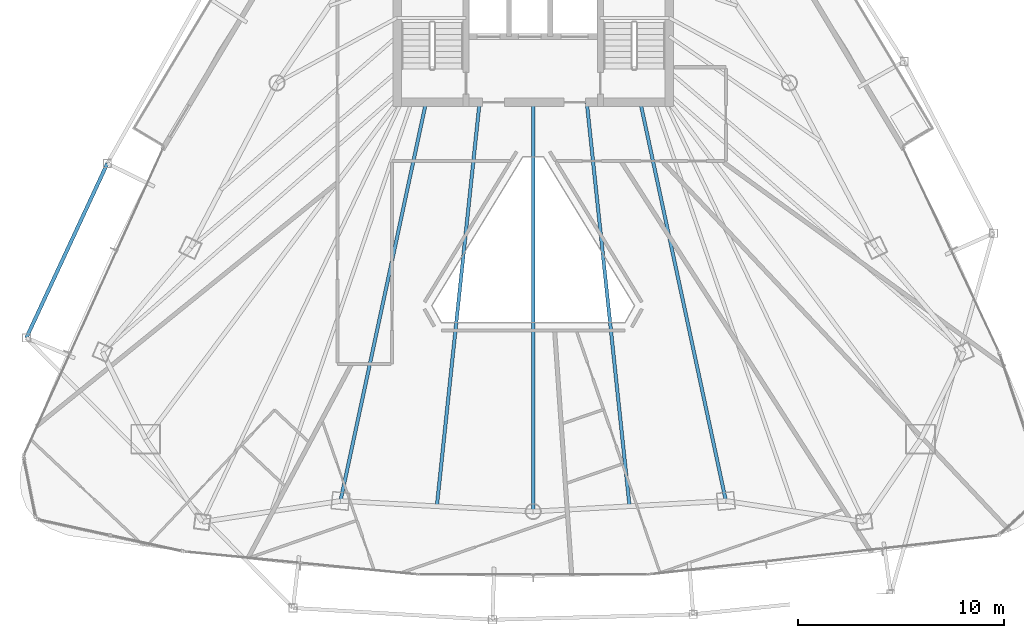
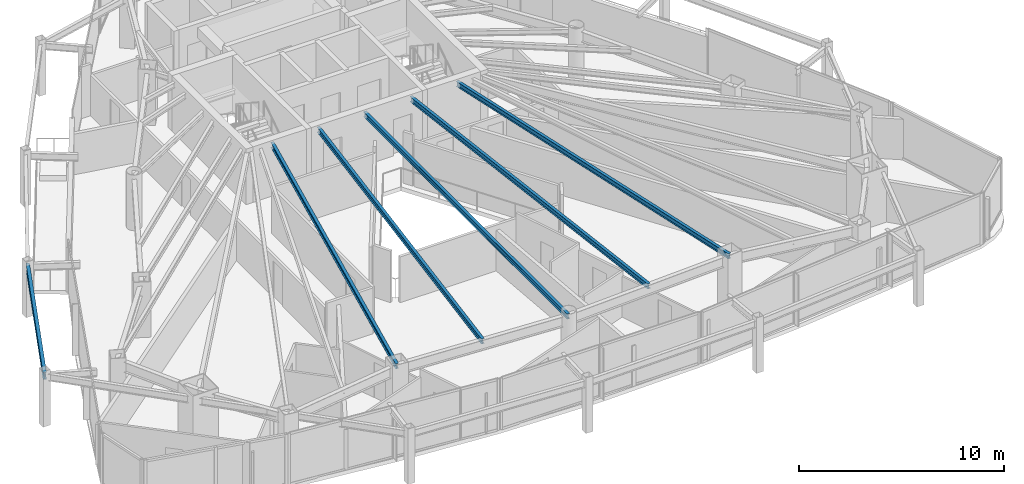
# One storey, part 9 of 29: 6 beams.
"""IFC4 building model written with IfcOpenShell, lengths in metres."""

from ifc_helpers import new_model, si_unit, direction, frame, origin, origin_2d, place, context, subcontext, project, spatial, i_section, extrude, material, material_profile, profile_set, type_object, element, save


model = new_model("IFC4")

# Units and contexts
model_context = context("Model", 3, precision=1e-05, world=origin(), true_north=direction((0.0, 1.0)))
body_context = subcontext(model_context, "Body", "Model", "MODEL_VIEW")
ifc_project = project(units=[si_unit("LENGTHUNIT", "METRE"), si_unit("AREAUNIT", "SQUARE_METRE"), si_unit("VOLUMEUNIT", "CUBIC_METRE"), si_unit("PLANEANGLEUNIT", "RADIAN"), si_unit("MASSUNIT", "GRAM", prefix="KILO")], contexts=[model_context])

# Site, building, storey
site_placement = place(None, origin())
site = spatial("IfcSite", under=ifc_project, at=site_placement, CompositionType="ELEMENT")
building_placement = place(site_placement, origin())
building = spatial("IfcBuilding", under=site, at=building_placement, Name="Orvanel Arch Residences", CompositionType="ELEMENT")
storey_placement = place(building_placement, frame((0.0, 0.0, 163.85009765625)))
storey = spatial("IfcBuildingStorey", under=building, at=storey_placement, Name="L46", CompositionType="ELEMENT", Elevation=163.85009765625)

# Beams
ifc_material = material(Name="Structural steel AS/NZS 3679.1 Grade 300 (300 MPa)", Category="steel")
ifc_material_profile_1 = material_profile(ifc_material, i_section(OverallWidth=0.1650390625, OverallDepth=0.303955078125, WebThickness=0.006103515625, FlangeThickness=0.01025390625, at=origin_2d()), Name="310UB40.4")
ifc_profile_set_1 = profile_set([ifc_material_profile_1], Name="Structural steel AS/NZS 3679.1 Grade 300 (300 MPa)")
beam_type_1 = type_object("IfcBeamType", Name="BJ-310UB", PredefinedType="JOIST", material=ifc_profile_set_1)
for number, where, z_axis, x_axis, name in (
    (1, (27.800048828125, 26.699951171875, 2.907958984375), (-0.209808012425, -0.977742603103, 0.0), (0.977742603103, -0.209808012425, 0.0), "L46 SW Wing Floor Joist"),
    (2, (38.199951171875, 26.699951171875, 2.907958984375), (0.209808012425, -0.977742603103, 0.0), (0.977742603103, 0.209808012425, 0.0), "L46 SE Wing Floor Joist"),
):
    element("IfcBeam", number, at=place(storey_placement, frame(where, z_axis=z_axis, x_axis=x_axis)), inside=storey, type_object=beam_type_1, Name=name, PredefinedType="JOIST", context=body_context, shape_type="SweptSolid", body=[
        extrude(i_section(OverallWidth=0.1650390625, OverallDepth=0.303955078125, WebThickness=0.006103515625, FlangeThickness=0.01025390625, at=origin_2d()), origin(), (0.0, 0.0, 1.0), 19.785400390625),
    ])
beam_1_placement = place(storey_placement, frame((33.0, 26.699951171875, 2.907958984375), z_axis=(0.0, -1.0, 0.0), x_axis=(1.0, 0.0, 0.0)))
element("IfcBeam", 3, at=beam_1_placement, inside=storey, type_object=beam_type_1, Name="L46 SSW Wing Floor Joist", PredefinedType="JOIST", context=body_context, shape_type="SweptSolid", body=[
    extrude(i_section(OverallWidth=0.1650390625, OverallDepth=0.303955078125, WebThickness=0.006103515625, FlangeThickness=0.01025390625, at=origin_2d()), origin(), (0.0, 0.0, 1.0), 19.85595703125),
])
for number, where, z_axis, x_axis, name in (
    (4, (30.39990234375, 26.699951171875, 2.907958984375), (-0.105277340935, -0.994442900063, 0.0), (0.994442900063, -0.105277340935, 0.0), "L46 WSW2 Wing Floor Joist"),
    (5, (35.60009765625, 26.699951171875, 2.907958984375), (0.105277340935, -0.994442900063, 0.0), (0.994442900063, 0.105277340935, 0.0), "L46 ESE2 Wing Floor Joist"),
):
    element("IfcBeam", number, at=place(storey_placement, frame(where, z_axis=z_axis, x_axis=x_axis)), inside=storey, type_object=beam_type_1, Name=name, PredefinedType="JOIST", context=body_context, shape_type="SweptSolid", body=[
        extrude(i_section(OverallWidth=0.1650390625, OverallDepth=0.303955078125, WebThickness=0.006103515625, FlangeThickness=0.01025390625, at=origin_2d()), origin(), (0.0, 0.0, 1.0), 19.70947265625),
    ])
ifc_material_profile_2 = material_profile(ifc_material, i_section(OverallWidth=0.177978515625, OverallDepth=0.406005859375, WebThickness=0.0078125, FlangeThickness=0.0126953125, at=origin_2d()), Name="410UB59.7")
ifc_profile_set_2 = profile_set([ifc_material_profile_2], Name="Structural steel AS/NZS 3679.1 Grade 300 (300 MPa)")
beam_type_2 = type_object("IfcBeamType", Name="OB-410UB-EXT", PredefinedType="SPANDREL", material=ifc_profile_set_2)
beam_2_placement = place(storey_placement, frame((12.337890625, 23.73291015625, 2.85693359375), z_axis=(-0.421169744056, -0.906981833717, 0.0), x_axis=(0.906981833717, -0.421169744056, 0.0)))
element("IfcBeam", 6, at=beam_2_placement, inside=storey, type_object=beam_type_2, Name="L46 Outer Perimeter Floor Ring Beam 03", PredefinedType="SPANDREL", context=body_context, shape_type="SweptSolid", body=[
    extrude(i_section(OverallWidth=0.177978515625, OverallDepth=0.406005859375, WebThickness=0.0078125, FlangeThickness=0.0126953125, at=origin_2d()), origin(), (0.0, 0.0, 1.0), 9.32861328125),
])

save(model, "model.ifc")
